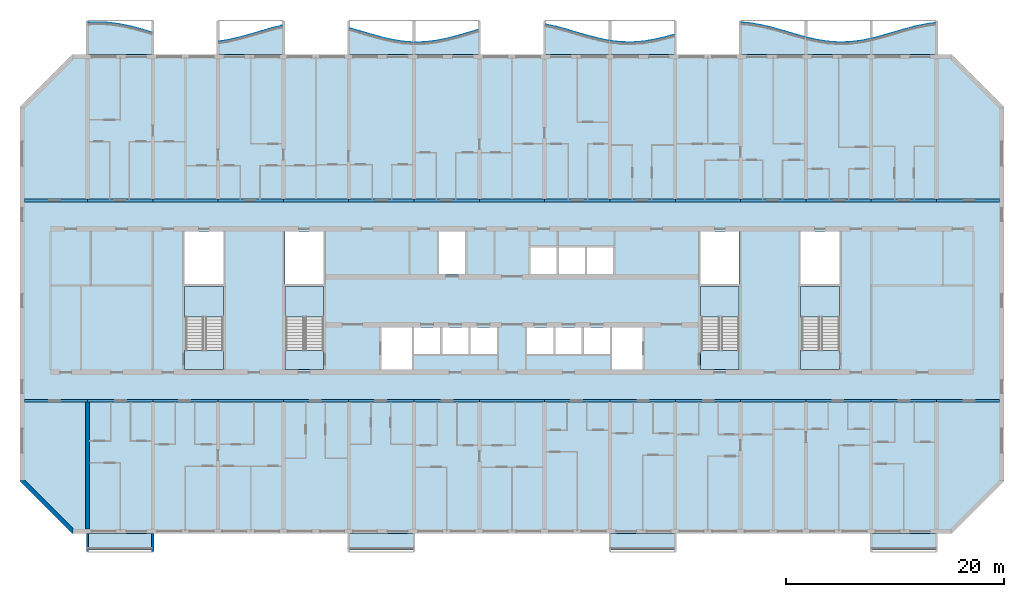
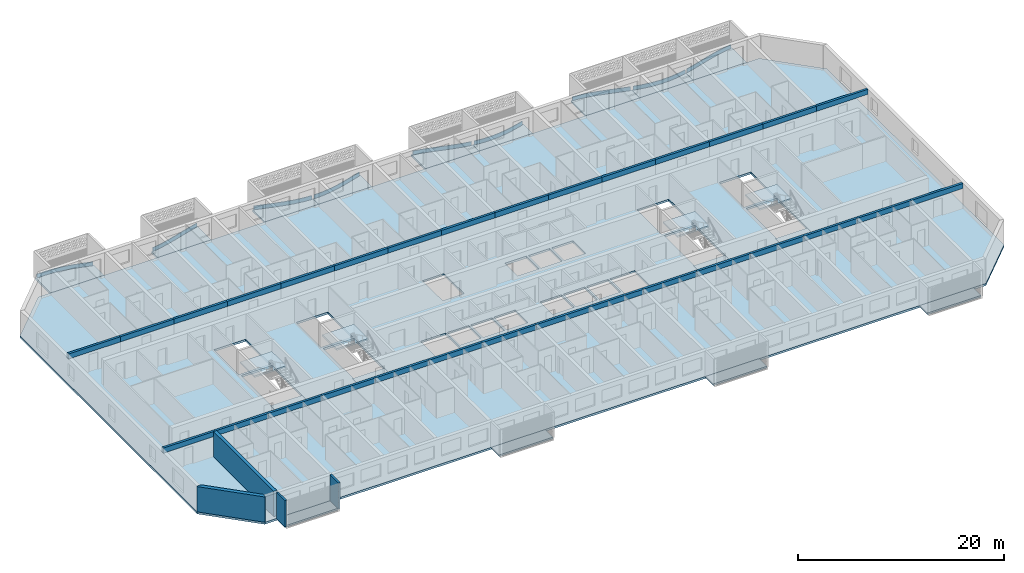
# One storey, part 1 of 24: 30 beams, 22 slabs, 9 plates, 4 walls, 4 elements without a shape of their own.
"""IFC4 building model written with IfcOpenShell, lengths in metres."""

from ifc_helpers import new_model, si_unit, direction, frame, frame_2d, origin, origin_2d, place, context, subcontext, project, spatial, polyline, rectangle, outline, extrude, source, transform, mapped, material, layer, layer_set, material_profile, profile_set, type_object, element, aggregate, save


model = new_model("IFC4")

# Units and contexts
model_context = context("Model", 3, precision=1e-05, world=origin(), true_north=direction((0.0, 1.0)))
body_context = subcontext(model_context, "Body", "Model", "MODEL_VIEW")
ifc_project = project(units=[si_unit("LENGTHUNIT", "METRE"), si_unit("AREAUNIT", "SQUARE_METRE"), si_unit("VOLUMEUNIT", "CUBIC_METRE"), si_unit("PLANEANGLEUNIT", "RADIAN"), si_unit("MASSUNIT", "GRAM", prefix="KILO")], contexts=[model_context])

# Site, building, storey
site_placement = place(None, origin())
site = spatial("IfcSite", under=ifc_project, at=site_placement, CompositionType="ELEMENT")
building_placement = place(site_placement, origin())
building = spatial("IfcBuilding", under=site, at=building_placement, Name="Poui Terraces", CompositionType="ELEMENT")
storey_placement = place(building_placement, frame((0.0, 0.0, 102.60009765625)))
storey = spatial("IfcBuildingStorey", under=building, at=storey_placement, Name="L28", CompositionType="ELEMENT", Elevation=102.60009765625)

# Beams
ifc_material_1 = material(Name="Concrete 65 MPa", Category="concrete")
ifc_material_profile = material_profile(ifc_material_1, rectangle(XDim=0.25, YDim=0.60009765625, at=origin_2d()), Name="RC 250x600")
ifc_profile_set = profile_set([ifc_material_profile], Name="Concrete 65 MPa")
beam_type = type_object("IfcBeamType", Name="COUPLING BEAM 250x600 65MPa", PredefinedType="BEAM", material=ifc_profile_set)
shared_shape_1 = source(origin(), body_context, "Body", "SweptSolid", [
    extrude(rectangle(XDim=0.25, YDim=0.60009765625, at=origin_2d()), origin(), (0.0, 0.0, 1.0), 5.800048828125),
])
for number, where, z_axis, x_axis, name in (
    (1, (6.199951171875, 12.0, 2.699951171875), (1.0, 0.0, 0.0), (0.0, 1.0, 0.0), "COUPLING BEAM LINE B BAY 1"),
    (2, (90.0, 12.0, 2.699951171875), (1.0, 0.0, 0.0), (0.0, 1.0, 0.0), "COUPLING BEAM LINE B BAY 15"),
    (3, (6.199951171875, 30.39990234375, 2.699951171875), (1.0, 0.0, 0.0), (0.0, 1.0, 0.0), "COUPLING BEAM LINE E BAY 1"),
    (4, (90.0, 30.39990234375, 2.699951171875), (1.0, 0.0, 0.0), (0.0, 1.0, 0.0), "COUPLING BEAM LINE E BAY 15"),
):
    element("IfcBeam", number, at=place(storey_placement, frame(where, z_axis=z_axis, x_axis=x_axis)), inside=storey, type_object=beam_type, Name=name, PredefinedType="BEAM", context=body_context, shape_type="MappedRepresentation", body=[
        mapped(shared_shape_1, transform((0.0, 0.0, 0.0))),
    ])
shared_shape_2 = source(origin(), body_context, "Body", "SweptSolid", [
    extrude(rectangle(XDim=0.25, YDim=0.60009765625, at=origin_2d()), origin(), (0.0, 0.0, 1.0), 6.0),
])
for number, where, z_axis, x_axis, name in (
    (5, (12.0, 12.0, 2.699951171875), (1.0, 0.0, 0.0), (0.0, 1.0, 0.0), "COUPLING BEAM LINE B BAY 2"),
    (6, (18.0, 12.0, 2.699951171875), (1.0, 0.0, 0.0), (0.0, 1.0, 0.0), "COUPLING BEAM LINE B BAY 3"),
    (7, (24.0, 12.0, 2.699951171875), (1.0, 0.0, 0.0), (0.0, 1.0, 0.0), "COUPLING BEAM LINE B BAY 4"),
    (8, (30.0, 12.0, 2.699951171875), (1.0, 0.0, 0.0), (0.0, 1.0, 0.0), "COUPLING BEAM LINE B BAY 5"),
    (9, (36.0, 12.0, 2.699951171875), (1.0, 0.0, 0.0), (0.0, 1.0, 0.0), "COUPLING BEAM LINE B BAY 6"),
    (10, (42.0, 12.0, 2.699951171875), (1.0, 0.0, 0.0), (0.0, 1.0, 0.0), "COUPLING BEAM LINE B BAY 7"),
    (11, (48.0, 12.0, 2.699951171875), (1.0, 0.0, 0.0), (0.0, 1.0, 0.0), "COUPLING BEAM LINE B BAY 8"),
    (12, (54.0, 12.0, 2.699951171875), (1.0, 0.0, 0.0), (0.0, 1.0, 0.0), "COUPLING BEAM LINE B BAY 9"),
    (13, (60.0, 12.0, 2.699951171875), (1.0, 0.0, 0.0), (0.0, 1.0, 0.0), "COUPLING BEAM LINE B BAY 10"),
    (14, (66.0, 12.0, 2.699951171875), (1.0, 0.0, 0.0), (0.0, 1.0, 0.0), "COUPLING BEAM LINE B BAY 11"),
    (15, (72.0, 12.0, 2.699951171875), (1.0, 0.0, 0.0), (0.0, 1.0, 0.0), "COUPLING BEAM LINE B BAY 12"),
    (16, (78.0, 12.0, 2.699951171875), (1.0, 0.0, 0.0), (0.0, 1.0, 0.0), "COUPLING BEAM LINE B BAY 13"),
    (17, (84.0, 12.0, 2.699951171875), (1.0, 0.0, 0.0), (0.0, 1.0, 0.0), "COUPLING BEAM LINE B BAY 14"),
    (18, (12.0, 30.39990234375, 2.699951171875), (1.0, 0.0, 0.0), (0.0, 1.0, 0.0), "COUPLING BEAM LINE E BAY 2"),
    (19, (18.0, 30.39990234375, 2.699951171875), (1.0, 0.0, 0.0), (0.0, 1.0, 0.0), "COUPLING BEAM LINE E BAY 3"),
    (20, (24.0, 30.39990234375, 2.699951171875), (1.0, 0.0, 0.0), (0.0, 1.0, 0.0), "COUPLING BEAM LINE E BAY 4"),
    (21, (30.0, 30.39990234375, 2.699951171875), (1.0, 0.0, 0.0), (0.0, 1.0, 0.0), "COUPLING BEAM LINE E BAY 5"),
    (22, (36.0, 30.39990234375, 2.699951171875), (1.0, 0.0, 0.0), (0.0, 1.0, 0.0), "COUPLING BEAM LINE E BAY 6"),
    (23, (42.0, 30.39990234375, 2.699951171875), (1.0, 0.0, 0.0), (0.0, 1.0, 0.0), "COUPLING BEAM LINE E BAY 7"),
    (24, (48.0, 30.39990234375, 2.699951171875), (1.0, 0.0, 0.0), (0.0, 1.0, 0.0), "COUPLING BEAM LINE E BAY 8"),
    (25, (54.0, 30.39990234375, 2.699951171875), (1.0, 0.0, 0.0), (0.0, 1.0, 0.0), "COUPLING BEAM LINE E BAY 9"),
    (26, (60.0, 30.39990234375, 2.699951171875), (1.0, 0.0, 0.0), (0.0, 1.0, 0.0), "COUPLING BEAM LINE E BAY 10"),
    (27, (66.0, 30.39990234375, 2.699951171875), (1.0, 0.0, 0.0), (0.0, 1.0, 0.0), "COUPLING BEAM LINE E BAY 11"),
    (28, (72.0, 30.39990234375, 2.699951171875), (1.0, 0.0, 0.0), (0.0, 1.0, 0.0), "COUPLING BEAM LINE E BAY 12"),
    (29, (78.0, 30.39990234375, 2.699951171875), (1.0, 0.0, 0.0), (0.0, 1.0, 0.0), "COUPLING BEAM LINE E BAY 13"),
    (30, (84.0, 30.39990234375, 2.699951171875), (1.0, 0.0, 0.0), (0.0, 1.0, 0.0), "COUPLING BEAM LINE E BAY 14"),
):
    element("IfcBeam", number, at=place(storey_placement, frame(where, z_axis=z_axis, x_axis=x_axis)), inside=storey, type_object=beam_type, Name=name, PredefinedType="BEAM", context=body_context, shape_type="MappedRepresentation", body=[
        mapped(shared_shape_2, transform((0.0, 0.0, 0.0))),
    ])

# Slabs
ifc_material_2 = material(Name="Precast concrete 40 MPa", Category="concrete")
ifc_layer_1 = layer(ifc_material_2, 0.199951171875)
ifc_layer_set_1 = layer_set([ifc_layer_1], Name="Precast concrete 40 MPa")
slab_type_1 = type_object("IfcSlabType", Name="BALCONY SLAB 200", PredefinedType="FLOOR", material=ifc_layer_set_1)
slab_1_placement = place(storey_placement, frame((0.0, 0.0, -0.2001953125)))
element("IfcSlab", 31, at=slab_1_placement, inside=storey, type_object=slab_type_1, Name="BALCONY SLAB", PredefinedType="FLOOR", context=body_context, shape_type="SweptSolid", body=[
    extrude(outline(polyline([(12.0, 43.800048828125), (18.0, 43.800048828125), (18.0, 45.787841796875), (17.0, 46.08251953125), (16.0, 46.3505859375), (15.0, 46.564453125), (14.0, 46.702392578125), (13.0, 46.75), (12.0, 46.702392578125), (12.0, 43.800048828125)])), origin(), (0.0, 0.0, 1.0), 0.2001953125),
])
slab_2_placement = place(storey_placement, frame((0.0, 0.0, -0.2001953125)))
element("IfcSlab", 32, at=slab_2_placement, inside=storey, type_object=slab_type_1, Name="BALCONY SLAB", PredefinedType="FLOOR", context=body_context, shape_type="SweptSolid", body=[
    extrude(outline(polyline([(24.0, 43.800048828125), (30.0, 43.800048828125), (30.0, 46.4658203125), (29.0, 46.221435546875), (28.0, 45.9365234375), (27.0, 45.639892578125), (26.0, 45.362548828125), (25.0, 45.132568359375), (24.0, 44.97412109375), (24.0, 43.800048828125)])), origin(), (0.0, 0.0, 1.0), 0.2001953125),
])
slab_3_placement = place(storey_placement, frame((0.0, 0.0, -0.2001953125)))
element("IfcSlab", 33, at=slab_3_placement, inside=storey, type_object=slab_type_1, Name="BALCONY SLAB", PredefinedType="FLOOR", context=body_context, shape_type="SweptSolid", body=[
    extrude(outline(polyline([(36.0, 43.800048828125), (42.0, 43.800048828125), (42.0, 44.903076171875), (41.0, 44.97412109375), (40.0, 45.132568359375), (39.0, 45.362548828125), (38.0, 45.639892578125), (37.0, 45.9365234375), (36.0, 46.221435546875), (36.0, 43.800048828125)])), origin(), (0.0, 0.0, 1.0), 0.2001953125),
])
slab_4_placement = place(storey_placement, frame((0.0, 0.0, -0.2001953125)))
element("IfcSlab", 34, at=slab_4_placement, inside=storey, type_object=slab_type_1, Name="BALCONY SLAB", PredefinedType="FLOOR", context=body_context, shape_type="SweptSolid", body=[
    extrude(outline(polyline([(42.0, 43.800048828125), (48.0, 43.800048828125), (48.0, 46.08251953125), (47.0, 45.787841796875), (46.0, 45.4970703125), (45.0, 45.239990234375), (44.0, 45.043212890625), (43.0, 44.927001953125), (42.0, 44.903076171875), (42.0, 43.800048828125)])), origin(), (0.0, 0.0, 1.0), 0.2001953125),
])
slab_5_placement = place(storey_placement, frame((0.0, 0.0, -0.2001953125)))
element("IfcSlab", 35, at=slab_5_placement, inside=storey, type_object=slab_type_1, Name="BALCONY SLAB", PredefinedType="FLOOR", context=body_context, shape_type="SweptSolid", body=[
    extrude(outline(polyline([(54.0, 43.800048828125), (60.0, 43.800048828125), (60.0, 45.043212890625), (59.0, 45.239990234375), (58.0, 45.4970703125), (57.0, 45.787841796875), (56.0, 46.08251953125), (55.0, 46.3505859375), (54.0, 46.564453125), (54.0, 43.800048828125)])), origin(), (0.0, 0.0, 1.0), 0.2001953125),
])
slab_6_placement = place(storey_placement, frame((0.0, 0.0, -0.2001953125)))
element("IfcSlab", 36, at=slab_6_placement, inside=storey, type_object=slab_type_1, Name="BALCONY SLAB", PredefinedType="FLOOR", context=body_context, shape_type="SweptSolid", body=[
    extrude(outline(polyline([(60.0, 43.800048828125), (66.0, 43.800048828125), (66.0, 45.639892578125), (65.0, 45.362548828125), (64.0, 45.132568359375), (63.0, 44.97412109375), (62.0, 44.903076171875), (61.0, 44.927001953125), (60.0, 45.043212890625), (60.0, 43.800048828125)])), origin(), (0.0, 0.0, 1.0), 0.2001953125),
])
slab_7_placement = place(storey_placement, frame((0.0, 0.0, -0.2001953125)))
element("IfcSlab", 37, at=slab_7_placement, inside=storey, type_object=slab_type_1, Name="BALCONY SLAB", PredefinedType="FLOOR", context=body_context, shape_type="SweptSolid", body=[
    extrude(outline(polyline([(72.0, 43.800048828125), (78.0, 43.800048828125), (78.0, 45.362548828125), (77.0, 45.639892578125), (76.0, 45.9365234375), (75.0, 46.221435546875), (74.0, 46.4658203125), (73.0, 46.64404296875), (72.0, 46.738037109375), (72.0, 43.800048828125)])), origin(), (0.0, 0.0, 1.0), 0.2001953125),
])
slab_8_placement = place(storey_placement, frame((0.0, 0.0, -0.2001953125)))
element("IfcSlab", 38, at=slab_8_placement, inside=storey, type_object=slab_type_1, Name="BALCONY SLAB", PredefinedType="FLOOR", context=body_context, shape_type="SweptSolid", body=[
    extrude(outline(polyline([(78.0, 43.800048828125), (84.0, 43.800048828125), (84.0, 45.239990234375), (83.0, 45.043212890625), (82.0, 44.927001953125), (81.0, 44.903076171875), (80.0, 44.97412109375), (79.0, 45.132568359375), (78.0, 45.362548828125), (78.0, 43.800048828125)])), origin(), (0.0, 0.0, 1.0), 0.2001953125),
])
slab_9_placement = place(storey_placement, frame((0.0, 0.0, -0.2001953125)))
element("IfcSlab", 39, at=slab_9_placement, inside=storey, type_object=slab_type_1, Name="BALCONY SLAB", PredefinedType="FLOOR", context=body_context, shape_type="SweptSolid", body=[
    extrude(outline(polyline([(84.0, 43.800048828125), (90.0, 43.800048828125), (90.0, 46.702392578125), (89.0, 46.564453125), (88.0, 46.3505859375), (87.0, 46.08251953125), (86.0, 45.787841796875), (85.0, 45.4970703125), (84.0, 45.239990234375), (84.0, 43.800048828125)])), origin(), (0.0, 0.0, 1.0), 0.2001953125),
])

# Stair, slabs
stair_type = type_object("IfcStairType", Name="EXIT STAIR 1650 65 MPA", PredefinedType="HALF_TURN_STAIR", material=ifc_material_1)
stair_1_placement = place(storey_placement, origin())
stair_1 = element("IfcStair", 40, at=stair_1_placement, inside=storey, type_object=stair_type, Name="L28 CORE STAIR EAST", PredefinedType="HALF_TURN_STAIR")
ifc_layer_2 = layer(ifc_material_1, 0.199951171875)
ifc_layer_set_2 = layer_set([ifc_layer_2], Name="Concrete 65 MPa")
slab_type_2 = type_object("IfcSlabType", Name="STAIR LANDING 200 65 MPA", PredefinedType="LANDING", material=ifc_layer_set_2)
slab_10_placement = place(storey_placement, frame((0.0, 0.0, 1.44970703125)))
slab_10 = element("IfcSlab", 41, at=slab_10_placement, type_object=slab_type_2, Name="ST-CE landing 1", PredefinedType="LANDING", context=body_context, shape_type="SweptSolid", body=[
    extrude(outline(polyline([(68.324951171875, 19.679931640625), (71.875, 19.679931640625), (71.875, 22.47509765625), (68.324951171875, 22.47509765625), (68.324951171875, 19.679931640625)])), origin(), (0.0, 0.0, 1.0), 0.2001953125),
])
slab_11_placement = place(storey_placement, frame((0.0, 0.0, -0.2001953125)))
slab_11 = element("IfcSlab", 42, at=slab_11_placement, type_object=slab_type_2, Name="ST-CE landing 2", PredefinedType="LANDING", context=body_context, shape_type="SweptSolid", body=[
    extrude(outline(polyline([(68.324951171875, 14.85009765625), (71.875, 14.85009765625), (71.875, 16.60009765625), (68.324951171875, 16.60009765625), (68.324951171875, 14.85009765625)])), origin(), (0.0, 0.0, 1.0), 0.2001953125),
])
aggregate(stair_1, [slab_10, slab_11])

stair_2_placement = place(storey_placement, origin())
stair_2 = element("IfcStair", 43, at=stair_2_placement, inside=storey, type_object=stair_type, Name="L28 CORE STAIR WEST", PredefinedType="HALF_TURN_STAIR")
slab_12_placement = place(storey_placement, frame((0.0, 0.0, 1.44970703125)))
slab_12 = element("IfcSlab", 44, at=slab_12_placement, type_object=slab_type_2, Name="ST-CW landing 1", PredefinedType="LANDING", context=body_context, shape_type="SweptSolid", body=[
    extrude(outline(polyline([(30.125, 19.679931640625), (33.675048828125, 19.679931640625), (33.675048828125, 22.47509765625), (30.125, 22.47509765625), (30.125, 19.679931640625)])), origin(), (0.0, 0.0, 1.0), 0.2001953125),
])
slab_13_placement = place(storey_placement, frame((0.0, 0.0, -0.2001953125)))
slab_13 = element("IfcSlab", 45, at=slab_13_placement, type_object=slab_type_2, Name="ST-CW landing 2", PredefinedType="LANDING", context=body_context, shape_type="SweptSolid", body=[
    extrude(outline(polyline([(30.125, 14.85009765625), (33.675048828125, 14.85009765625), (33.675048828125, 16.60009765625), (30.125, 16.60009765625), (30.125, 14.85009765625)])), origin(), (0.0, 0.0, 1.0), 0.2001953125),
])
aggregate(stair_2, [slab_12, slab_13])

stair_3_placement = place(storey_placement, origin())
stair_3 = element("IfcStair", 46, at=stair_3_placement, inside=storey, type_object=stair_type, Name="L28 TIP STAIR EAST", PredefinedType="HALF_TURN_STAIR")
slab_14_placement = place(storey_placement, frame((0.0, 0.0, 1.44970703125)))
slab_14 = element("IfcSlab", 47, at=slab_14_placement, type_object=slab_type_2, Name="ST-E landing 1", PredefinedType="LANDING", context=body_context, shape_type="SweptSolid", body=[
    extrude(outline(polyline([(77.52490234375, 19.679931640625), (81.074951171875, 19.679931640625), (81.074951171875, 22.47509765625), (77.52490234375, 22.47509765625), (77.52490234375, 19.679931640625)])), origin(), (0.0, 0.0, 1.0), 0.2001953125),
])
slab_15_placement = place(storey_placement, frame((0.0, 0.0, -0.2001953125)))
slab_15 = element("IfcSlab", 48, at=slab_15_placement, type_object=slab_type_2, Name="ST-E landing 2", PredefinedType="LANDING", context=body_context, shape_type="SweptSolid", body=[
    extrude(outline(polyline([(77.52490234375, 14.85009765625), (81.074951171875, 14.85009765625), (81.074951171875, 16.60009765625), (77.52490234375, 16.60009765625), (77.52490234375, 14.85009765625)])), origin(), (0.0, 0.0, 1.0), 0.2001953125),
])
aggregate(stair_3, [slab_14, slab_15])

stair_4_placement = place(storey_placement, origin())
stair_4 = element("IfcStair", 49, at=stair_4_placement, inside=storey, type_object=stair_type, Name="L28 TIP STAIR WEST", PredefinedType="HALF_TURN_STAIR")
slab_16_placement = place(storey_placement, frame((0.0, 0.0, 1.44970703125)))
slab_16 = element("IfcSlab", 50, at=slab_16_placement, type_object=slab_type_2, Name="ST-W landing 1", PredefinedType="LANDING", context=body_context, shape_type="SweptSolid", body=[
    extrude(outline(polyline([(20.925048828125, 19.679931640625), (24.47509765625, 19.679931640625), (24.47509765625, 22.47509765625), (20.925048828125, 22.47509765625), (20.925048828125, 19.679931640625)])), origin(), (0.0, 0.0, 1.0), 0.2001953125),
])
slab_17_placement = place(storey_placement, frame((0.0, 0.0, -0.2001953125)))
slab_17 = element("IfcSlab", 51, at=slab_17_placement, type_object=slab_type_2, Name="ST-W landing 2", PredefinedType="LANDING", context=body_context, shape_type="SweptSolid", body=[
    extrude(outline(polyline([(20.925048828125, 14.85009765625), (24.47509765625, 14.85009765625), (24.47509765625, 16.60009765625), (20.925048828125, 16.60009765625), (20.925048828125, 14.85009765625)])), origin(), (0.0, 0.0, 1.0), 0.2001953125),
])
aggregate(stair_4, [slab_16, slab_17])

# Plates
ifc_layer_3 = layer(ifc_material_2, 0.080078125)
ifc_layer_set_3 = layer_set([ifc_layer_3], Name="Precast concrete 40 MPa")
plate_type = type_object("IfcPlateType", Name="SUNSHADE UPSTAND 80", PredefinedType="SHEET", material=ifc_layer_set_3)
plate_1_placement = place(storey_placement, origin())
element("IfcPlate", 52, at=plate_1_placement, inside=storey, type_object=plate_type, Name="SUNSHADE UPSTAND", PredefinedType="SHEET", context=body_context, shape_type="SweptSolid", body=[
    extrude(outline(polyline([(13.0, 46.7451171875), (12.153564453125, 46.709716796875), (12.123291015625, 46.708251953125), (12.126708984375, 46.62841796875), (13.0, 46.6650390625), (13.996337890625, 46.617431640625), (14.9931640625, 46.47998046875), (15.990478515625, 46.2666015625), (16.9892578125, 45.998779296875), (17.86376953125, 45.74169921875), (17.88623046875, 45.818359375), (17.0107421875, 46.075927734375), (16.009521484375, 46.344482421875), (15.0068359375, 46.558837890625), (14.003662109375, 46.697265625), (13.0, 46.7451171875)])), origin(), (0.0, 0.0, 1.0), 0.449951171875),
])
plate_2_placement = place(storey_placement, origin())
element("IfcPlate", 53, at=plate_2_placement, inside=storey, type_object=plate_type, Name="SUNSHADE UPSTAND", PredefinedType="SHEET", context=body_context, shape_type="SweptSolid", body=[
    extrude(outline(polyline([(24.9921875, 45.126953125), (24.118408203125, 44.98388671875), (24.131591796875, 44.90478515625), (25.0078125, 45.04833984375), (26.009765625, 45.27880859375), (27.010986328125, 45.556396484375), (28.01123046875, 45.85302734375), (29.01025390625, 46.137939453125), (29.884521484375, 46.3544921875), (29.865478515625, 46.43212890625), (28.98974609375, 46.215087890625), (27.98876953125, 45.929931640625), (26.989013671875, 45.63330078125), (25.990234375, 45.356201171875), (24.9921875, 45.126953125)])), origin(), (0.0, 0.0, 1.0), 0.449951171875),
])
plate_3_placement = place(storey_placement, origin())
element("IfcPlate", 54, at=plate_3_placement, inside=storey, type_object=plate_type, Name="SUNSHADE UPSTAND", PredefinedType="SHEET", context=body_context, shape_type="SweptSolid", body=[
    extrude(outline(polyline([(37.01123046875, 45.929931640625), (36.135986328125, 46.180908203125), (36.114013671875, 46.10400390625), (36.98876953125, 45.85302734375), (37.989013671875, 45.556396484375), (38.990234375, 45.27880859375), (39.992431640625, 45.04833984375), (40.995361328125, 44.889404296875), (41.871826171875, 44.822021484375), (41.878173828125, 44.901611328125), (41.004638671875, 44.96875), (40.007568359375, 45.126953125), (39.009765625, 45.356201171875), (38.010986328125, 45.63330078125), (37.01123046875, 45.929931640625)])), origin(), (0.0, 0.0, 1.0), 0.449951171875),
])
plate_4_placement = place(storey_placement, origin())
element("IfcPlate", 55, at=plate_4_placement, inside=storey, type_object=plate_type, Name="SUNSHADE UPSTAND", PredefinedType="SHEET", context=body_context, shape_type="SweptSolid", body=[
    extrude(outline(polyline([(42.9970703125, 44.921875), (42.123779296875, 44.895751953125), (42.126220703125, 44.81591796875), (43.0029296875, 44.841796875), (44.006103515625, 44.95849609375), (45.0087890625, 45.156005859375), (46.010498046875, 45.413330078125), (47.01123046875, 45.704345703125), (47.88623046875, 45.962890625), (47.86376953125, 46.039794921875), (46.98876953125, 45.781005859375), (45.989501953125, 45.490478515625), (44.9912109375, 45.23388671875), (43.993896484375, 45.03759765625), (42.9970703125, 44.921875)])), origin(), (0.0, 0.0, 1.0), 0.449951171875),
])
plate_5_placement = place(storey_placement, origin())
element("IfcPlate", 56, at=plate_5_placement, inside=storey, type_object=plate_type, Name="SUNSHADE UPSTAND", PredefinedType="SHEET", context=body_context, shape_type="SweptSolid", body=[
    extrude(outline(polyline([(55.009521484375, 46.34423828125), (54.133544921875, 46.53564453125), (54.116455078125, 46.45751953125), (54.990478515625, 46.2666015625), (55.9892578125, 45.998779296875), (56.98876953125, 45.704345703125), (57.989501953125, 45.413330078125), (58.9912109375, 45.156005859375), (59.8671875, 44.9794921875), (59.8828125, 45.05810546875), (59.0087890625, 45.23388671875), (58.010498046875, 45.490478515625), (57.01123046875, 45.781005859375), (56.0107421875, 46.075927734375), (55.009521484375, 46.34423828125)])), origin(), (0.0, 0.0, 1.0), 0.449951171875),
])
plate_6_placement = place(storey_placement, origin())
element("IfcPlate", 57, at=plate_6_placement, inside=storey, type_object=plate_type, Name="SUNSHADE UPSTAND", PredefinedType="SHEET", context=body_context, shape_type="SweptSolid", body=[
    extrude(outline(polyline([(61.002685546875, 44.921875), (60.12939453125, 45.018798828125), (60.12060546875, 44.939208984375), (60.997314453125, 44.841796875), (62.0009765625, 44.818115234375), (63.004638671875, 44.88916015625), (64.007568359375, 45.04833984375), (65.009765625, 45.27880859375), (65.885498046875, 45.52001953125), (65.864501953125, 45.59716796875), (64.990234375, 45.356201171875), (63.992431640625, 45.126953125), (62.995361328125, 44.96875), (61.9990234375, 44.89794921875), (61.002685546875, 44.921875)])), origin(), (0.0, 0.0, 1.0), 0.449951171875),
])
plate_7_placement = place(storey_placement, origin())
element("IfcPlate", 58, at=plate_7_placement, inside=storey, type_object=plate_type, Name="SUNSHADE UPSTAND", PredefinedType="SHEET", context=body_context, shape_type="SweptSolid", body=[
    extrude(outline(polyline([(73.005615234375, 46.638671875), (72.1650390625, 46.722412109375), (72.12890625, 46.725830078125), (72.12109375, 46.646484375), (72.994384765625, 46.559326171875), (73.99169921875, 46.381591796875), (74.98974609375, 46.137939453125), (75.98876953125, 45.85302734375), (76.989013671875, 45.556396484375), (77.8642578125, 45.3115234375), (77.8857421875, 45.388671875), (77.010986328125, 45.63330078125), (76.01123046875, 45.929931640625), (75.01025390625, 46.215087890625), (74.00830078125, 46.4599609375), (73.005615234375, 46.638671875)])), origin(), (0.0, 0.0, 1.0), 0.449951171875),
])
plate_8_placement = place(storey_placement, origin())
element("IfcPlate", 59, at=plate_8_placement, inside=storey, type_object=plate_type, Name="SUNSHADE UPSTAND", PredefinedType="SHEET", context=body_context, shape_type="SweptSolid", body=[
    extrude(outline(polyline([(79.007568359375, 45.126953125), (78.1337890625, 45.32470703125), (78.1162109375, 45.24658203125), (78.992431640625, 45.04833984375), (79.995361328125, 44.88916015625), (80.9990234375, 44.818115234375), (82.002685546875, 44.841796875), (83.006103515625, 44.95849609375), (83.882568359375, 45.127197265625), (83.867431640625, 45.205810546875), (82.993896484375, 45.037841796875), (81.997314453125, 44.921875), (81.0009765625, 44.89794921875), (80.004638671875, 44.96875), (79.007568359375, 45.126953125)])), origin(), (0.0, 0.0, 1.0), 0.449951171875),
])
plate_9_placement = place(storey_placement, origin())
element("IfcPlate", 60, at=plate_9_placement, inside=storey, type_object=plate_type, Name="SUNSHADE UPSTAND", PredefinedType="SHEET", context=body_context, shape_type="SweptSolid", body=[
    extrude(outline(polyline([(84.989501953125, 45.490478515625), (84.114990234375, 45.262939453125), (84.135009765625, 45.185546875), (85.010498046875, 45.413330078125), (86.01123046875, 45.704345703125), (87.0107421875, 45.998779296875), (88.009521484375, 46.2666015625), (89.007080078125, 46.47998046875), (89.880615234375, 46.605224609375), (89.869384765625, 46.684326171875), (89.848876953125, 46.681396484375), (88.992919921875, 46.558837890625), (87.990478515625, 46.344482421875), (86.9892578125, 46.075927734375), (85.98876953125, 45.781005859375), (84.989501953125, 45.490478515625)])), origin(), (0.0, 0.0, 1.0), 0.449951171875),
])

# Slabs
ifc_material_3 = material(Name="Concrete 40 MPa", Category="concrete")
ifc_layer_4 = layer(ifc_material_3, 0.239990234375)
ifc_layer_set_4 = layer_set([ifc_layer_4], Name="Concrete 40 MPa")
slab_type_3 = type_object("IfcSlabType", Name="FLOOR SLAB 240", PredefinedType="FLOOR", material=ifc_layer_set_4)
shared_shape_3 = source(origin(), body_context, "Body", "SweptSolid", [
    extrude(outline(polyline([(0.0, 0.0), (4.800048828125, -4.800048828125), (85.599853515625, -4.800048828125), (90.39990234375, 0.0), (90.39990234375, 34.39990234375), (85.599853515625, 39.199951171875), (4.800048828125, 39.199951171875), (0.0, 34.39990234375), (0.0, 0.0)]), holes=[polyline([(33.199951171875, 10.25), (33.199951171875, 14.14990234375), (36.0, 14.14990234375), (36.0, 10.25), (33.199951171875, 10.25)]), polyline([(36.199951171875, 11.699951171875), (36.199951171875, 14.14990234375), (38.599853515625, 14.14990234375), (38.599853515625, 11.699951171875), (36.199951171875, 11.699951171875)]), polyline([(38.800048828125, 11.699951171875), (38.800048828125, 14.14990234375), (41.199951171875, 14.14990234375), (41.199951171875, 11.699951171875), (38.800048828125, 11.699951171875)]), polyline([(41.39990234375, 14.14990234375), (43.800048828125, 14.14990234375), (43.800048828125, 11.699951171875), (41.39990234375, 11.699951171875), (41.39990234375, 14.14990234375)]), polyline([(46.599853515625, 14.14990234375), (49.0, 14.14990234375), (49.0, 11.699951171875), (46.599853515625, 11.699951171875), (46.599853515625, 14.14990234375)]), polyline([(15.224853515625, 17.849853515625), (18.675048828125, 17.849853515625), (18.675048828125, 12.0), (18.675048828125, 10.25), (15.125, 10.25), (15.125, 12.0), (15.224853515625, 12.0), (15.224853515625, 17.849853515625)]), polyline([(24.425048828125, 17.849853515625), (27.875, 17.849853515625), (27.875, 12.0), (27.875, 10.25), (24.324951171875, 10.25), (24.324951171875, 12.0), (24.425048828125, 12.0), (24.425048828125, 17.849853515625)]), polyline([(15.125, 18.125), (15.125, 22.949951171875), (18.675048828125, 22.949951171875), (18.675048828125, 18.125), (15.125, 18.125)]), polyline([(24.324951171875, 22.949951171875), (27.875, 22.949951171875), (27.875, 18.125), (24.324951171875, 18.125), (24.324951171875, 22.949951171875)]), polyline([(38.5, 22.949951171875), (40.89990234375, 22.949951171875), (40.89990234375, 19.0498046875), (38.5, 19.0498046875), (38.5, 22.949951171875)]), polyline([(54.39990234375, 10.25), (54.39990234375, 14.14990234375), (57.199951171875, 14.14990234375), (57.199951171875, 10.25), (54.39990234375, 10.25)]), polyline([(49.199951171875, 11.699951171875), (49.199951171875, 14.14990234375), (51.599853515625, 14.14990234375), (51.599853515625, 11.699951171875), (49.199951171875, 11.699951171875)]), polyline([(51.800048828125, 11.699951171875), (51.800048828125, 14.14990234375), (54.199951171875, 14.14990234375), (54.199951171875, 11.699951171875), (51.800048828125, 11.699951171875)]), polyline([(66.074951171875, 17.849853515625), (66.074951171875, 12.0), (66.074951171875, 10.25), (62.52490234375, 10.25), (62.52490234375, 12.0), (62.625, 12.0), (62.625, 17.849853515625), (66.074951171875, 17.849853515625)]), polyline([(75.27490234375, 17.849853515625), (75.27490234375, 12.0), (75.27490234375, 10.25), (71.724853515625, 10.25), (71.724853515625, 12.0), (71.824951171875, 12.0), (71.824951171875, 17.849853515625), (75.27490234375, 17.849853515625)]), polyline([(46.89990234375, 19.0498046875), (46.89990234375, 21.5), (49.300048828125, 21.5), (49.300048828125, 19.0498046875), (46.89990234375, 19.0498046875)]), polyline([(49.5, 19.0498046875), (49.5, 21.5), (51.89990234375, 21.5), (51.89990234375, 19.0498046875), (49.5, 19.0498046875)]), polyline([(52.099853515625, 19.0498046875), (52.099853515625, 21.5), (54.5, 21.5), (54.5, 19.0498046875), (52.099853515625, 19.0498046875)]), polyline([(62.52490234375, 22.949951171875), (66.074951171875, 22.949951171875), (66.074951171875, 18.125), (62.52490234375, 18.125), (62.52490234375, 22.949951171875)]), polyline([(71.724853515625, 22.949951171875), (75.27490234375, 22.949951171875), (75.27490234375, 18.125), (71.724853515625, 18.125), (71.724853515625, 22.949951171875)])]), origin(), (0.0, 0.0, 1.0), 0.240234375),
])
slab_18_placement = place(storey_placement, frame((5.800048828125, 4.60009765625, -0.240234375)))
element("IfcSlab", 61, at=slab_18_placement, inside=storey, type_object=slab_type_3, Name="FLOOR SLAB", PredefinedType="FLOOR", context=body_context, shape_type="MappedRepresentation", body=[
    mapped(shared_shape_3, transform((0.0, 0.0, 0.0))),
])
ifc_layer_5 = layer(ifc_material_2, 0.199951171875)
ifc_layer_set_5 = layer_set([ifc_layer_5], Name="Precast concrete 40 MPa")
slab_type_4 = type_object("IfcSlabType", Name="REAR BALCONY SLAB 200", PredefinedType="FLOOR", material=ifc_layer_set_5)
shared_shape_4 = source(origin(), body_context, "Body", "SweptSolid", [
    extrude(outline(polyline([(0.0, 0.0), (6.0, 0.0), (6.0, 1.5), (0.0, 1.5), (0.0, 0.0)])), origin(), (0.0, 0.0, 1.0), 0.2001953125),
])
for number, where, name in (
    (62, (12.0, -1.699951171875, -0.2001953125), "REAR BALCONY SLAB"),
    (63, (36.0, -1.699951171875, -0.2001953125), "REAR BALCONY SLAB"),
    (64, (60.0, -1.699951171875, -0.2001953125), "REAR BALCONY SLAB"),
    (65, (84.0, -1.699951171875, -0.2001953125), "REAR BALCONY SLAB"),
):
    element("IfcSlab", number, at=place(storey_placement, frame(where)), inside=storey, type_object=slab_type_4, Name=name, PredefinedType="FLOOR", context=body_context, shape_type="MappedRepresentation", body=[
        mapped(shared_shape_4, transform((0.0, 0.0, 0.0))),
    ])

# Walls
ifc_layer_6 = layer(ifc_material_1, 0.35009765625)
ifc_layer_set_6 = layer_set([ifc_layer_6], Name="Concrete 65 MPa")
wall_type_1 = type_object("IfcWallType", Name="CROSS WALL 350 65MPa", PredefinedType="SHEAR", material=ifc_layer_set_6)
wall_1_placement = place(storey_placement, frame((12.0, 0.199951171875, 0.0), z_axis=(0.0, 0.0, 1.0), x_axis=(0.0, 1.0, 0.0)))
element("IfcWall", 66, at=wall_1_placement, inside=storey, type_object=wall_type_1, Name="CROSS WALL LINE 3 SOUTH", PredefinedType="SHEAR", context=body_context, shape_type="SweptSolid", body=[
    extrude(rectangle(XDim=11.675048828125, YDim=0.35009765625, at=frame_2d((5.83740234375, 0.0))), origin(), (0.0, 0.0, 1.0), 3.0),
])
ifc_layer_7 = layer(ifc_material_2, 0.39990234375)
ifc_layer_set_7 = layer_set([ifc_layer_7], Name="Precast concrete 40 MPa")
wall_type_2 = type_object("IfcWallType", Name="TERRACOTTA CLAD CHAMFER WALL 400", PredefinedType="STANDARD", material=ifc_layer_set_7)
wall_2_placement = place(storey_placement, origin())
element("IfcWall", 67, at=wall_2_placement, inside=storey, type_object=wall_type_2, Name="CHAMFER WALL CH07", PredefinedType="STANDARD", context=body_context, shape_type="SweptSolid", body=[
    extrude(outline(polyline([(5.800048828125, 4.682861328125), (5.800048828125, 4.60009765625), (10.60009765625, -0.199951171875), (10.682861328125, -0.199951171875), (10.682861328125, 0.28271484375), (6.28271484375, 4.682861328125), (5.800048828125, 4.682861328125)])), origin(), (0.0, 0.0, 1.0), 3.0),
])
ifc_layer_8 = layer(ifc_material_2, 0.199951171875)
ifc_layer_set_8 = layer_set([ifc_layer_8], Name="Precast concrete 40 MPa")
wall_type_3 = type_object("IfcWallType", Name="REAR FIN 200", PredefinedType="STANDARD", material=ifc_layer_set_8)
shared_shape_5 = source(origin(), body_context, "Body", "SweptSolid", [
    extrude(outline(polyline([(0.0, 0.0), (0.2001953125, 0.0), (0.2001953125, 1.650146484375), (0.0, 1.650146484375), (0.0, 0.0)])), origin(), (0.0, 0.0, 1.0), 3.099853515625),
])
for number, where, name in (
    (68, (11.89990234375, -1.85009765625, 0.0), "REAR FIN"),
    (69, (17.89990234375, -1.85009765625, 0.0), "REAR FIN"),
):
    element("IfcWall", number, at=place(storey_placement, frame(where)), inside=storey, type_object=wall_type_3, Name=name, PredefinedType="STANDARD", context=body_context, shape_type="MappedRepresentation", body=[
        mapped(shared_shape_5, transform((0.0, 0.0, 0.0))),
    ])

save(model, "model.ifc")
